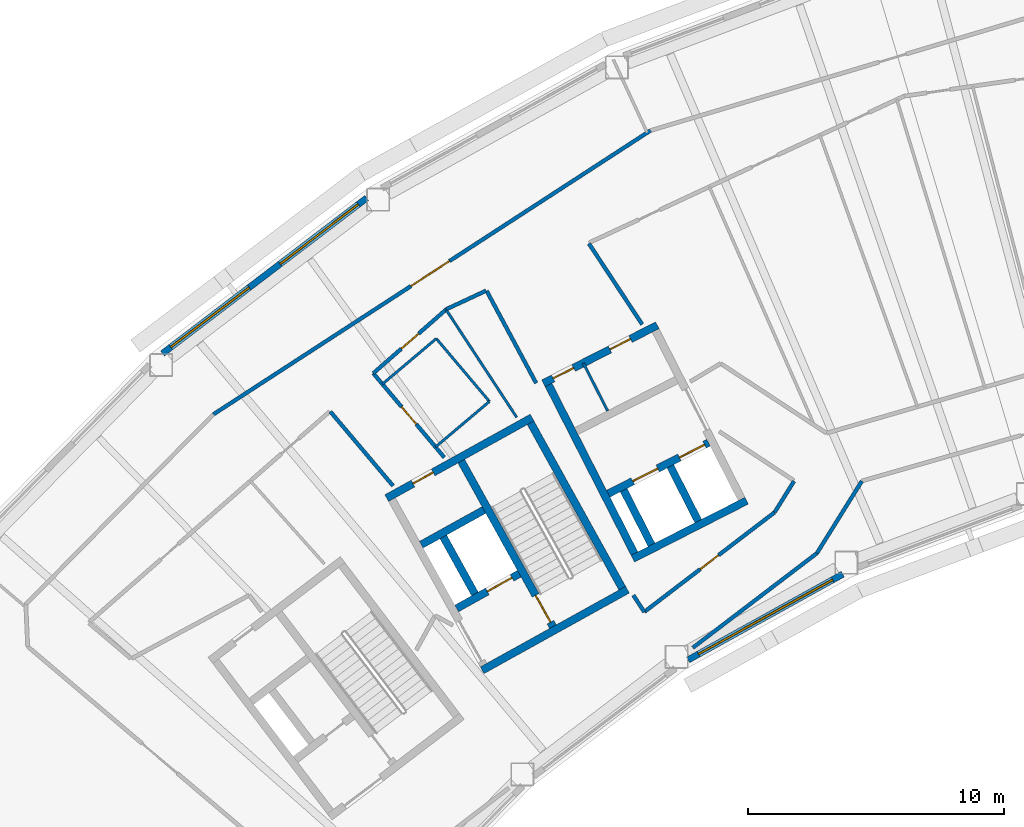
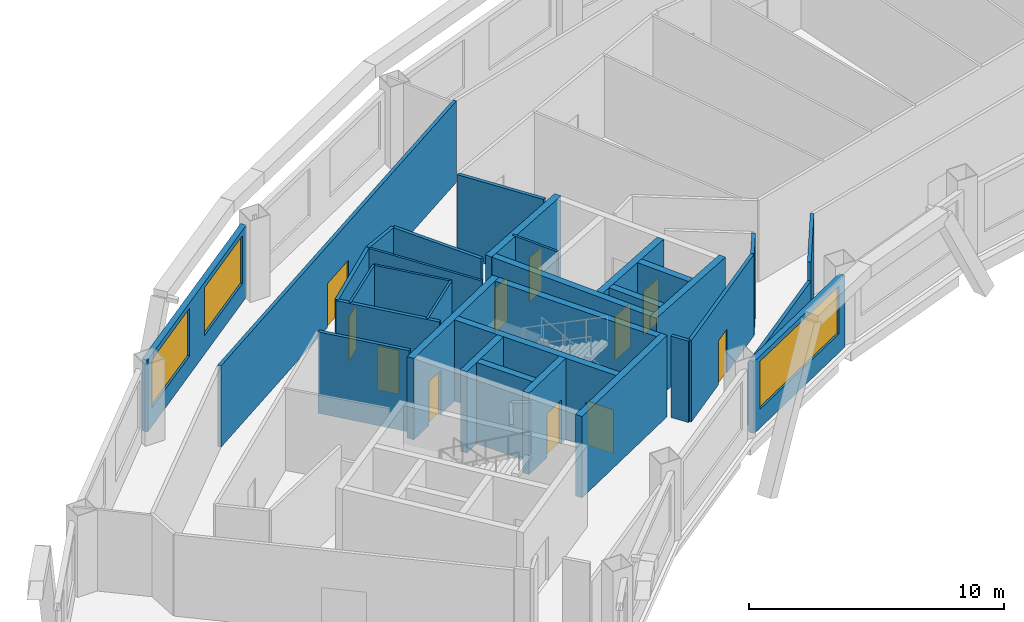
# One storey, part 6 of 17: 32 walls, 11 doors, 3 windows, 14 openings.
"""IFC4 building model written with IfcOpenShell, lengths in metres."""

from ifc_helpers import new_model, si_unit, direction, frame, frame_2d, origin, place, context, subcontext, project, spatial, rectangle, extrude, material, layer, layer_set, type_object, element, fill, save


model = new_model("IFC4")

# Units and contexts
model_context = context("Model", 3, precision=1e-05, world=origin(), true_north=direction((0.0, 1.0)))
body_context = subcontext(model_context, "Body", "Model", "MODEL_VIEW")
ifc_project = project(units=[si_unit("LENGTHUNIT", "METRE"), si_unit("AREAUNIT", "SQUARE_METRE"), si_unit("VOLUMEUNIT", "CUBIC_METRE"), si_unit("PLANEANGLEUNIT", "RADIAN"), si_unit("MASSUNIT", "GRAM", prefix="KILO")], contexts=[model_context])

# Site, building, storey
site_placement = place(None, origin())
site = spatial("IfcSite", under=ifc_project, at=site_placement, CompositionType="ELEMENT")
building_placement = place(site_placement, origin())
building = spatial("IfcBuilding", under=site, at=building_placement, Name="Tuul Gate Civic Tower", CompositionType="ELEMENT")
storey_placement = place(building_placement, frame((0.0, 0.0, 222.10009765625)))
storey = spatial("IfcBuildingStorey", under=building, at=storey_placement, Name="Level 50", CompositionType="ELEMENT", Elevation=222.10009765625)

# Wall
ifc_material_1 = material(Name="Concrete C50/60", Category="concrete")
ifc_layer_1 = layer(ifc_material_1, 0.300048828125)
ifc_layer_set_1 = layer_set([ifc_layer_1], Name="Concrete C50/60")
wall_type_1 = type_object("IfcWallType", Name="Core wall C50/60", PredefinedType="SHEAR", material=ifc_layer_set_1)
wall_1_placement = place(storey_placement, frame((-24.711669921875, -8.7158203125, 0.0), z_axis=(0.0, 0.0, 1.0), x_axis=(-0.874629909008, -0.484791215132, 0.0)))
element("IfcWall", 1, at=wall_1_placement, inside=storey, type_object=wall_type_1, Name="Core wall", PredefinedType="SHEAR", context=body_context, shape_type="SweptSolid", body=[
    extrude(rectangle(XDim=6.5, YDim=0.300048828125, at=frame_2d((3.25, 0.0))), origin(), (0.0, 0.0, 1.0), 3.89990234375),
])

# Wall, opening, door
wall_2_placement = place(storey_placement, frame((-28.94580078125, -8.090087890625, 0.0), z_axis=(0.0, 0.0, 1.0), x_axis=(-0.874629840737, -0.484791338301, 0.0)))
wall_2 = element("IfcWall", 2, at=wall_2_placement, inside=storey, type_object=wall_type_1, Name="Core wall", PredefinedType="SHEAR", context=body_context, shape_type="SweptSolid", body=[
    extrude(rectangle(XDim=2.800048828125, YDim=0.300048828125, at=frame_2d((1.39990234375, 0.0))), origin(), (0.0, 0.0, 1.0), 3.89990234375),
])
opening_1_placement = place(wall_2_placement, frame((0.324951171875, 0.0, 0.0)))
opening_1 = element("IfcOpeningElement", 3, at=opening_1_placement, cuts=wall_2, Name="Opening LD-FF-1", PredefinedType="OPENING", context=body_context, shape_type="SweptSolid", body=[
    extrude(rectangle(XDim=1.10009765625, YDim=2.10009765625, at=frame_2d((0.550048828125, 1.050048828125))), frame((0.0, 0.16015625, 0.0), z_axis=(0.0, -1.0, 0.0), x_axis=(1.0, 0.0, 0.0)), (0.0, 0.0, 1.0), 0.320068359375),
])
ifc_material_2 = material(Name="Stainless steel", Category="steel")
door_type_1 = type_object("IfcDoorType", Name="Landing door", OperationType="DOUBLE_DOOR_SLIDING", PredefinedType="DOOR", material=ifc_material_2)
door_1_placement = place(opening_1_placement, origin())
door_1 = element("IfcDoor", 4, at=door_1_placement, inside=storey, type_object=door_type_1, Name="Fire-fighting lift FF-1 landing door", OperationType="DOUBLE_DOOR_SLIDING", OverallHeight=2.10009765625, OverallWidth=1.10009765625, PredefinedType="DOOR", context=body_context, shape_type="SweptSolid", body=[
    extrude(rectangle(XDim=1.10009765625, YDim=2.10009765625, at=frame_2d((0.550048828125, 1.050048828125))), frame((0.0, 0.02490234375, 0.0), z_axis=(0.0, -1.0, 0.0), x_axis=(1.0, 0.0, 0.0)), (0.0, 0.0, 1.0), 0.050048828125),
])
fill(opening_1, door_1)

# Wall
wall_3_placement = place(storey_placement, frame((-30.327392578125, -5.59716796875, 0.0), z_axis=(0.0, 0.0, 1.0), x_axis=(-0.874629840737, -0.484791338301, 0.0)))
element("IfcWall", 5, at=wall_3_placement, inside=storey, type_object=wall_type_1, Name="Core wall", PredefinedType="SHEAR", context=body_context, shape_type="SweptSolid", body=[
    extrude(rectangle(XDim=2.800048828125, YDim=0.300048828125, at=frame_2d((1.39990234375, 0.0))), origin(), (0.0, 0.0, 1.0), 3.89990234375),
])

# Wall, opening, door
wall_4_placement = place(storey_placement, frame((-28.4443359375, -1.98095703125, 0.0), z_axis=(0.0, 0.0, 1.0), x_axis=(-0.874629909008, -0.484791215132, 0.0)))
wall_4 = element("IfcWall", 6, at=wall_4_placement, inside=storey, type_object=wall_type_1, Name="Core wall", PredefinedType="SHEAR", context=body_context, shape_type="SweptSolid", body=[
    extrude(rectangle(XDim=6.5, YDim=0.300048828125, at=frame_2d((3.25, 0.0))), origin(), (0.0, 0.0, 1.0), 3.89990234375),
])
opening_2_placement = place(wall_4_placement, frame((4.425048828125, 0.0, 0.0)))
opening_2 = element("IfcOpeningElement", 7, at=opening_2_placement, cuts=wall_4, Name="Opening R-D44", PredefinedType="OPENING", context=body_context, shape_type="SweptSolid", body=[
    extrude(rectangle(XDim=0.89990234375, YDim=2.10009765625, at=frame_2d((0.449951171875, 1.050048828125))), frame((0.0, 0.16015625, 0.0), z_axis=(0.0, -1.0, 0.0), x_axis=(1.0, 0.0, 0.0)), (0.0, 0.0, 1.0), 0.320068359375),
])
ifc_material_3 = material(Name="Timber door leaf", Category="wood")
door_type_2 = type_object("IfcDoorType", Name="Door D09", OperationType="NOTDEFINED", PredefinedType="DOOR", material=ifc_material_3)
door_2_placement = place(opening_2_placement, origin())
door_2 = element("IfcDoor", 8, at=door_2_placement, inside=storey, type_object=door_type_2, Name="Door R-D44", OperationType="SINGLE_SWING_LEFT", OverallHeight=2.10009765625, OverallWidth=0.89990234375, PredefinedType="DOOR", context=body_context, shape_type="SweptSolid", body=[
    extrude(rectangle(XDim=0.89990234375, YDim=2.10009765625, at=frame_2d((0.449951171875, 1.050048828125))), frame((0.0, 0.02490234375, 0.0), z_axis=(0.0, -1.0, 0.0), x_axis=(1.0, 0.0, 0.0)), (0.0, 0.0, 1.0), 0.050048828125),
])
fill(opening_2, door_2)

# Wall
wall_5_placement = place(storey_placement, frame((-24.91552734375, -8.6572265625, 0.0), z_axis=(0.0, 0.0, 1.0), x_axis=(-0.484777133038, 0.874637714304, 0.0)))
element("IfcWall", 9, at=wall_5_placement, inside=storey, type_object=wall_type_1, Name="Core wall", PredefinedType="SHEAR", context=body_context, shape_type="SweptSolid", body=[
    extrude(rectangle(XDim=7.400146484375, YDim=0.300048828125, at=frame_2d((3.7001953125, 0.0))), origin(), (0.0, 0.0, 1.0), 3.89990234375),
])

# Wall, opening, door
wall_6_placement = place(storey_placement, frame((-27.626953125, -10.16015625, 0.0), z_axis=(0.0, 0.0, 1.0), x_axis=(-0.484751894226, 0.874651702704, 0.0)))
wall_6 = element("IfcWall", 10, at=wall_6_placement, inside=storey, type_object=wall_type_1, Name="Core wall", PredefinedType="SHEAR", context=body_context, shape_type="SweptSolid", body=[
    extrude(rectangle(XDim=7.39990234375, YDim=0.300048828125, at=frame_2d((3.699951171875, 0.0))), origin(), (0.0, 0.0, 1.0), 3.89990234375),
])
opening_3_placement = place(wall_6_placement, frame((0.199951171875, 0.0, 0.0)))
opening_3 = element("IfcOpeningElement", 11, at=opening_3_placement, cuts=wall_6, Name="Opening SD-ST-2", PredefinedType="OPENING", context=body_context, shape_type="SweptSolid", body=[
    extrude(rectangle(XDim=1.199951171875, YDim=2.10009765625, at=frame_2d((0.60009765625, 1.050048828125))), frame((0.0, 0.16015625, 0.0), z_axis=(0.0, -1.0, 0.0), x_axis=(1.0, 0.0, 0.0)), (0.0, 0.0, 1.0), 0.320068359375),
])
ifc_material_4 = material(Name="Steel", Category="steel")
door_type_3 = type_object("IfcDoorType", Name="Stair door", OperationType="NOTDEFINED", PredefinedType="DOOR", material=ifc_material_4)
door_3_placement = place(opening_3_placement, origin())
door_3 = element("IfcDoor", 12, at=door_3_placement, inside=storey, type_object=door_type_3, Name="Stair door ST-2", OperationType="SINGLE_SWING_LEFT", OverallHeight=2.10009765625, OverallWidth=1.199951171875, PredefinedType="DOOR", context=body_context, shape_type="SweptSolid", body=[
    extrude(rectangle(XDim=1.199951171875, YDim=2.10009765625, at=frame_2d((0.60009765625, 1.050048828125))), frame((0.0, 0.02490234375, 0.0), z_axis=(0.0, -1.0, 0.0), x_axis=(1.0, 0.0, 0.0)), (0.0, 0.0, 1.0), 0.050048828125),
])
fill(opening_3, door_3)

# Wall
wall_7_placement = place(storey_placement, frame((-30.680419921875, -8.8798828125, 0.0), z_axis=(0.0, 0.0, 1.0), x_axis=(-0.484724115216, 0.874667097888, 0.0)))
element("IfcWall", 13, at=wall_7_placement, inside=storey, type_object=wall_type_1, Name="Core wall", PredefinedType="SHEAR", context=body_context, shape_type="SweptSolid", body=[
    extrude(rectangle(XDim=2.550048828125, YDim=0.300048828125, at=frame_2d((1.27490234375, 0.0))), origin(), (0.0, 0.0, 1.0), 3.89990234375),
])

# Wall, opening, door
ifc_material_5 = material(Name="Gypsum board partition")
ifc_layer_2 = layer(ifc_material_5, 0.14990234375)
ifc_layer_set_2 = layer_set([ifc_layer_2], Name="Gypsum board partition")
wall_type_2 = type_object("IfcWallType", Name="Corridor wall P150", PredefinedType="PARTITIONING", material=ifc_layer_set_2)
wall_8_placement = place(storey_placement, frame((-40.91259765625, -1.85595703125, 0.0), z_axis=(0.0, 0.0, 1.0), x_axis=(0.838694654804, 0.54460194271, 0.0)))
wall_8 = element("IfcWall", 14, at=wall_8_placement, inside=storey, type_object=wall_type_2, Name="p014", PredefinedType="PARTITIONING", context=body_context, shape_type="SweptSolid", body=[
    extrude(rectangle(XDim=20.39013671875, YDim=0.14990234375, at=frame_2d((10.195068359375, 0.0))), origin(), (0.0, 0.0, 1.0), 3.89990234375),
])
opening_4_placement = place(wall_8_placement, frame((9.218017578125, 0.0, 0.0)))
opening_4 = element("IfcOpeningElement", 15, at=opening_4_placement, cuts=wall_8, Name="Opening R-D05", PredefinedType="OPENING", context=body_context, shape_type="SweptSolid", body=[
    extrude(rectangle(XDim=1.800048828125, YDim=2.10009765625, at=frame_2d((0.89990234375, 1.050048828125))), frame((0.0, 0.0849609375, 0.0), z_axis=(0.0, -1.0, 0.0), x_axis=(1.0, 0.0, 0.0)), (0.0, 0.0, 1.0), 0.169921875),
])
ifc_material_6 = material(Name="Timber door leaf, double", Category="wood")
door_type_4 = type_object("IfcDoorType", Name="Door D18", OperationType="DOUBLE_DOOR_SINGLE_SWING", PredefinedType="DOOR", material=ifc_material_6)
door_4_placement = place(opening_4_placement, origin())
door_4 = element("IfcDoor", 16, at=door_4_placement, inside=storey, type_object=door_type_4, Name="Door R-D05", OperationType="DOUBLE_DOOR_SINGLE_SWING", OverallHeight=2.10009765625, OverallWidth=1.800048828125, PredefinedType="DOOR", context=body_context, shape_type="SweptSolid", body=[
    extrude(rectangle(XDim=1.800048828125, YDim=2.10009765625, at=frame_2d((0.89990234375, 1.050048828125))), frame((0.0, 0.02490234375, 0.0), z_axis=(0.0, -1.0, 0.0), x_axis=(1.0, 0.0, 0.0)), (0.0, 0.0, 1.0), 0.050048828125),
])
fill(opening_4, door_4)

# Walls
wall_9_placement = place(storey_placement, frame((-17.30126953125, -7.2890625, 0.0), z_axis=(0.0, 0.0, 1.0), x_axis=(0.528856076926, 0.848711523368, 0.0)))
element("IfcWall", 17, at=wall_9_placement, inside=storey, type_object=wall_type_2, Name="p039", PredefinedType="PARTITIONING", context=body_context, shape_type="SweptSolid", body=[
    extrude(rectangle(XDim=3.3232421875, YDim=0.14990234375, at=frame_2d((1.66162109375, 0.0))), origin(), (0.0, 0.0, 1.0), 3.89990234375),
])
wall_10_placement = place(storey_placement, frame((-31.78955078125, 2.26220703125, 0.0), z_axis=(0.0, 0.0, 1.0), x_axis=(0.906552739591, 0.422092561341, 0.0)))
element("IfcWall", 18, at=wall_10_placement, inside=storey, type_object=wall_type_2, Name="p082", PredefinedType="PARTITIONING", context=body_context, shape_type="SweptSolid", body=[
    extrude(rectangle(XDim=1.702880859375, YDim=0.14990234375, at=frame_2d((0.8515625, 0.0))), origin(), (0.0, 0.0, 1.0), 3.89990234375),
])
wall_11_placement = place(storey_placement, frame((-26.22119140625, 4.828857421875, 0.0), z_axis=(0.0, 0.0, 1.0), x_axis=(0.550321528377, -0.834952822263, 0.0)))
element("IfcWall", 19, at=wall_11_placement, inside=storey, type_object=wall_type_2, Name="p087", PredefinedType="PARTITIONING", context=body_context, shape_type="SweptSolid", body=[
    extrude(rectangle(XDim=3.78955078125, YDim=0.14990234375, at=frame_2d((1.894775390625, 0.0))), origin(), (0.0, 0.0, 1.0), 3.89990234375),
])
wall_12_placement = place(storey_placement, frame((-24.482421875, -8.931640625, 0.0), z_axis=(0.0, 0.0, 1.0), x_axis=(0.548342642764, -0.836253757018, 0.0)))
element("IfcWall", 20, at=wall_12_placement, inside=storey, type_object=wall_type_2, Name="p089", PredefinedType="PARTITIONING", context=body_context, shape_type="SweptSolid", body=[
    extrude(rectangle(XDim=0.78173828125, YDim=0.14990234375, at=frame_2d((0.390869140625, 0.0))), origin(), (0.0, 0.0, 1.0), 3.89990234375),
])

# Wall, opening, door
wall_13_placement = place(storey_placement, frame((-34.65625, -0.24853515625, 0.0), z_axis=(0.0, 0.0, 1.0), x_axis=(0.752267052032, 0.658858317416, 0.0)))
wall_13 = element("IfcWall", 21, at=wall_13_placement, inside=storey, type_object=wall_type_2, Name="p091", PredefinedType="PARTITIONING", context=body_context, shape_type="SweptSolid", body=[
    extrude(rectangle(XDim=3.810791015625, YDim=0.14990234375, at=frame_2d((1.9052734375, 0.0))), origin(), (0.0, 0.0, 1.0), 3.89990234375),
])
opening_5_placement = place(wall_13_placement, frame((1.455322265625, 0.0, 0.0)))
opening_5 = element("IfcOpeningElement", 22, at=opening_5_placement, cuts=wall_13, Name="Opening R-D42", PredefinedType="OPENING", context=body_context, shape_type="SweptSolid", body=[
    extrude(rectangle(XDim=0.89990234375, YDim=2.10009765625, at=frame_2d((0.449951171875, 1.050048828125))), frame((0.0, 0.0849609375, 0.0), z_axis=(0.0, -1.0, 0.0), x_axis=(1.0, 0.0, 0.0)), (0.0, 0.0, 1.0), 0.169921875),
])
door_5_placement = place(opening_5_placement, origin())
door_5 = element("IfcDoor", 23, at=door_5_placement, inside=storey, type_object=door_type_2, Name="Door R-D42", OperationType="SINGLE_SWING_RIGHT", OverallHeight=2.10009765625, OverallWidth=0.89990234375, PredefinedType="DOOR", context=body_context, shape_type="SweptSolid", body=[
    extrude(rectangle(XDim=0.89990234375, YDim=2.10009765625, at=frame_2d((0.449951171875, 1.050048828125))), frame((0.0, 0.02490234375, 0.0), z_axis=(0.0, -1.0, 0.0), x_axis=(1.0, 0.0, 0.0)), (0.0, 0.0, 1.0), 0.050048828125),
])
fill(opening_5, door_5)

# Walls
wall_14_placement = place(storey_placement, frame((-30.21923828125, 2.971923828125, 0.0), z_axis=(0.0, 0.0, 1.0), x_axis=(0.472839183622, -0.881148742513, 0.0)))
element("IfcWall", 24, at=wall_14_placement, inside=storey, type_object=wall_type_2, Name="p092", PredefinedType="PARTITIONING", context=body_context, shape_type="SweptSolid", body=[
    extrude(rectangle(XDim=4.08984375, YDim=0.14990234375, at=frame_2d((2.044921875, 0.0))), origin(), (0.0, 0.0, 1.0), 3.89990234375),
])
wall_15_placement = place(storey_placement, frame((-18.952392578125, -5.684326171875, 0.0), z_axis=(0.0, 0.0, 1.0), x_axis=(0.528862582225, 0.848707469699, 0.0)))
element("IfcWall", 25, at=wall_15_placement, inside=storey, type_object=wall_type_2, Name="p094", PredefinedType="PARTITIONING", context=body_context, shape_type="SweptSolid", body=[
    extrude(rectangle(XDim=1.4296875, YDim=0.14990234375, at=frame_2d((0.71484375, 0.0))), origin(), (0.0, 0.0, 1.0), 3.89990234375),
])

# Wall, opening, door
wall_16_placement = place(storey_placement, frame((-24.0537109375, -9.58544921875, 0.0), z_axis=(0.0, 0.0, 1.0), x_axis=(0.794499344457, 0.607265009413, 0.0)))
wall_16 = element("IfcWall", 26, at=wall_16_placement, inside=storey, type_object=wall_type_2, Name="p095", PredefinedType="PARTITIONING", context=body_context, shape_type="SweptSolid", body=[
    extrude(rectangle(XDim=6.4140625, YDim=0.14990234375, at=frame_2d((3.20703125, 0.0))), origin(), (0.0, 0.0, 1.0), 3.89990234375),
])
opening_6_placement = place(wall_16_placement, frame((2.757080078125, 0.0, 0.0)))
opening_6 = element("IfcOpeningElement", 27, at=opening_6_placement, cuts=wall_16, Name="Opening R-D34", PredefinedType="OPENING", context=body_context, shape_type="SweptSolid", body=[
    extrude(rectangle(XDim=0.89990234375, YDim=2.10009765625, at=frame_2d((0.449951171875, 1.050048828125))), frame((0.0, 0.0849609375, 0.0), z_axis=(0.0, -1.0, 0.0), x_axis=(1.0, 0.0, 0.0)), (0.0, 0.0, 1.0), 0.169921875),
])
door_6_placement = place(opening_6_placement, origin())
door_6 = element("IfcDoor", 28, at=door_6_placement, inside=storey, type_object=door_type_2, Name="Door R-D34", OperationType="SINGLE_SWING_RIGHT", OverallHeight=2.10009765625, OverallWidth=0.89990234375, PredefinedType="DOOR", context=body_context, shape_type="SweptSolid", body=[
    extrude(rectangle(XDim=0.89990234375, YDim=2.10009765625, at=frame_2d((0.449951171875, 1.050048828125))), frame((0.0, 0.02490234375, 0.0), z_axis=(0.0, -1.0, 0.0), x_axis=(1.0, 0.0, 0.0)), (0.0, 0.0, 1.0), 0.050048828125),
])
fill(opening_6, door_6)

wall_17_placement = place(storey_placement, frame((-34.65625, -0.24853515625, 0.0), z_axis=(0.0, 0.0, 1.0), x_axis=(0.645164646928, -0.764043570979, 0.0)))
wall_17 = element("IfcWall", 29, at=wall_17_placement, inside=storey, type_object=wall_type_2, Name="p097", PredefinedType="PARTITIONING", context=body_context, shape_type="SweptSolid", body=[
    extrude(rectangle(XDim=4.30859375, YDim=0.14990234375, at=frame_2d((2.154296875, 0.0))), origin(), (0.0, 0.0, 1.0), 3.89990234375),
])
opening_7_placement = place(wall_17_placement, frame((1.714111328125, 0.0, 0.0)))
opening_7 = element("IfcOpeningElement", 30, at=opening_7_placement, cuts=wall_17, Name="Opening R-D35", PredefinedType="OPENING", context=body_context, shape_type="SweptSolid", body=[
    extrude(rectangle(XDim=0.89990234375, YDim=2.10009765625, at=frame_2d((0.449951171875, 1.050048828125))), frame((0.0, 0.0849609375, 0.0), z_axis=(0.0, -1.0, 0.0), x_axis=(1.0, 0.0, 0.0)), (0.0, 0.0, 1.0), 0.169921875),
])
door_7_placement = place(opening_7_placement, origin())
door_7 = element("IfcDoor", 31, at=door_7_placement, inside=storey, type_object=door_type_2, Name="Door R-D35", OperationType="SINGLE_SWING_RIGHT", OverallHeight=2.10009765625, OverallWidth=0.89990234375, PredefinedType="DOOR", context=body_context, shape_type="SweptSolid", body=[
    extrude(rectangle(XDim=0.89990234375, YDim=2.10009765625, at=frame_2d((0.449951171875, 1.050048828125))), frame((0.0, 0.02490234375, 0.0), z_axis=(0.0, -1.0, 0.0), x_axis=(1.0, 0.0, 0.0)), (0.0, 0.0, 1.0), 0.050048828125),
])
fill(opening_7, door_7)

# Walls
wall_18_placement = place(storey_placement, frame((-36.335693359375, -1.747314453125, 0.0), z_axis=(0.0, 0.0, 1.0), x_axis=(0.645204975868, -0.764009515069, 0.0)))
element("IfcWall", 32, at=wall_18_placement, inside=storey, type_object=wall_type_2, Name="p102", PredefinedType="PARTITIONING", context=body_context, shape_type="SweptSolid", body=[
    extrude(rectangle(XDim=3.8017578125, YDim=0.14990234375, at=frame_2d((1.90087890625, 0.0))), origin(), (0.0, 0.0, 1.0), 3.89990234375),
])
ifc_material_7 = material(Name="Gypsum board partition")
ifc_layer_3 = layer(ifc_material_7, 0.14990234375)
ifc_layer_set_3 = layer_set([ifc_layer_3], Name="Gypsum board partition")
wall_type_3 = type_object("IfcWallType", Name="Corridor wall P150 3000 HIGH", PredefinedType="PARTITIONING", material=ifc_layer_set_3)
wall_19_placement = place(storey_placement, frame((-22.156005859375, -10.98828125, 0.0), z_axis=(0.0, 0.0, 1.0), x_axis=(0.795349073888, 0.606151672988, 0.0)))
element("IfcWall", 33, at=wall_19_placement, inside=storey, type_object=wall_type_3, Name="p023", PredefinedType="PARTITIONING", context=body_context, shape_type="SweptSolid", body=[
    extrude(rectangle(XDim=6.103515625, YDim=0.14990234375, at=frame_2d((3.0517578125, 0.0))), origin(), (0.0, 0.0, 1.0), 3.0),
])

# Wall, openings, windows
ifc_material_8 = material(Name="Precast concrete C40/50", Category="concrete")
ifc_layer_4 = layer(ifc_material_8, 0.25)
ifc_layer_set_4 = layer_set([ifc_layer_4], Name="Precast concrete C40/50")
wall_type_4 = type_object("IfcWallType", Name="External wall", PredefinedType="STANDARD", material=ifc_layer_set_4)
wall_20_placement = place(storey_placement, frame((-34.9130859375, 6.608642578125, 0.0), z_axis=(0.0, 0.0, 1.0), x_axis=(-0.795599673756, -0.605822712615, 0.0)))
wall_20 = element("IfcWall", 34, at=wall_20_placement, inside=storey, type_object=wall_type_4, Name="External wall", PredefinedType="STANDARD", context=body_context, shape_type="SweptSolid", body=[
    extrude(rectangle(XDim=10.0419921875, YDim=0.25, at=frame_2d((5.02099609375, 0.0))), origin(), (0.0, 0.0, 1.0), 3.449951171875),
])
opening_8_placement = place(wall_20_placement, frame((0.4091796875, 0.0, 0.89990234375)))
opening_8 = element("IfcOpeningElement", 35, at=opening_8_placement, cuts=wall_20, Name="Opening W22", PredefinedType="OPENING", context=body_context, shape_type="SweptSolid", body=[
    extrude(rectangle(XDim=3.85009765625, YDim=2.300048828125, at=frame_2d((1.925048828125, 1.14990234375))), frame((0.0, 0.135009765625, 0.0), z_axis=(0.0, -1.0, 0.0), x_axis=(1.0, 0.0, 0.0)), (0.0, 0.0, 1.0), 0.27001953125),
])
opening_9_placement = place(wall_20_placement, frame((5.780517578125, 0.0, 0.89990234375)))
opening_9 = element("IfcOpeningElement", 36, at=opening_9_placement, cuts=wall_20, Name="Opening W22", PredefinedType="OPENING", context=body_context, shape_type="SweptSolid", body=[
    extrude(rectangle(XDim=3.85009765625, YDim=2.300048828125, at=frame_2d((1.925048828125, 1.14990234375))), frame((0.0, 0.135009765625, 0.0), z_axis=(0.0, -1.0, 0.0), x_axis=(1.0, 0.0, 0.0)), (0.0, 0.0, 1.0), 0.27001953125),
])
ifc_material_9 = material(Name="Glass", Category="glass")
window_type_1 = type_object("IfcWindowType", Name="Window W22 3850 x 2300", PartitioningType="SINGLE_PANEL", PredefinedType="WINDOW", material=ifc_material_9)
window_1_placement = place(opening_8_placement, origin())
window_1 = element("IfcWindow", 37, at=window_1_placement, inside=storey, type_object=window_type_1, Name="Window", OverallHeight=2.300048828125, OverallWidth=3.85009765625, PartitioningType="SINGLE_PANEL", PredefinedType="WINDOW", context=body_context, shape_type="SweptSolid", body=[
    extrude(rectangle(XDim=3.85009765625, YDim=2.300048828125, at=frame_2d((1.925048828125, 1.14990234375))), frame((0.0, 0.030029296875, 0.0), z_axis=(0.0, -1.0, 0.0), x_axis=(1.0, 0.0, 0.0)), (0.0, 0.0, 1.0), 0.06005859375),
])
fill(opening_8, window_1)
window_2_placement = place(opening_9_placement, origin())
window_2 = element("IfcWindow", 38, at=window_2_placement, inside=storey, type_object=window_type_1, Name="Window", OverallHeight=2.300048828125, OverallWidth=3.85009765625, PartitioningType="SINGLE_PANEL", PredefinedType="WINDOW", context=body_context, shape_type="SweptSolid", body=[
    extrude(rectangle(XDim=3.85009765625, YDim=2.300048828125, at=frame_2d((1.925048828125, 1.14990234375))), frame((0.0, 0.030029296875, 0.0), z_axis=(0.0, -1.0, 0.0), x_axis=(1.0, 0.0, 0.0)), (0.0, 0.0, 1.0), 0.06005859375),
])
fill(opening_9, window_2)

# Wall, opening, window
wall_21_placement = place(storey_placement, frame((-22.3369140625, -11.46044921875, 0.0), z_axis=(0.0, 0.0, 1.0), x_axis=(0.874618182136, 0.484812371416, 0.0)))
wall_21 = element("IfcWall", 39, at=wall_21_placement, inside=storey, type_object=wall_type_4, Name="External wall", PredefinedType="STANDARD", context=body_context, shape_type="SweptSolid", body=[
    extrude(rectangle(XDim=6.9150390625, YDim=0.25, at=frame_2d((3.45751953125, 0.0))), origin(), (0.0, 0.0, 1.0), 3.449951171875),
])
opening_10_placement = place(wall_21_placement, frame((0.4619140625, 0.0, 0.89990234375)))
opening_10 = element("IfcOpeningElement", 40, at=opening_10_placement, cuts=wall_21, Name="Opening W26", PredefinedType="OPENING", context=body_context, shape_type="SweptSolid", body=[
    extrude(rectangle(XDim=6.0, YDim=2.300048828125, at=frame_2d((3.0, 1.14990234375))), frame((0.0, 0.135009765625, 0.0), z_axis=(0.0, -1.0, 0.0), x_axis=(1.0, 0.0, 0.0)), (0.0, 0.0, 1.0), 0.27001953125),
])
ifc_material_10 = material(Name="Glass", Category="glass")
window_type_2 = type_object("IfcWindowType", Name="Window W26 6000 x 2300", PartitioningType="SINGLE_PANEL", PredefinedType="WINDOW", material=ifc_material_10)
window_3_placement = place(opening_10_placement, origin())
window_3 = element("IfcWindow", 41, at=window_3_placement, inside=storey, type_object=window_type_2, Name="Window", OverallHeight=2.300048828125, OverallWidth=6.0, PartitioningType="SINGLE_PANEL", PredefinedType="WINDOW", context=body_context, shape_type="SweptSolid", body=[
    extrude(rectangle(XDim=6.0, YDim=2.300048828125, at=frame_2d((3.0, 1.14990234375))), frame((0.0, 0.030029296875, 0.0), z_axis=(0.0, -1.0, 0.0), x_axis=(1.0, 0.0, 0.0)), (0.0, 0.0, 1.0), 0.06005859375),
])
fill(opening_10, window_3)

# Wall
ifc_material_11 = material(Name="Concrete C40/50", Category="concrete")
ifc_layer_5 = layer(ifc_material_11, 0.300048828125)
ifc_layer_set_5 = layer_set([ifc_layer_5], Name="Concrete C40/50")
wall_type_5 = type_object("IfcWallType", Name="Lift shaft wall C40/50", PredefinedType="STANDARD", material=ifc_layer_set_5)
wall_22_placement = place(storey_placement, frame((-20.049072265625, -5.232421875, 0.0), z_axis=(0.0, 0.0, 1.0), x_axis=(-0.891002976909, -0.453997461601, 0.0)))
element("IfcWall", 42, at=wall_22_placement, inside=storey, type_object=wall_type_5, Name="Shaft wall", PredefinedType="STANDARD", context=body_context, shape_type="SweptSolid", body=[
    extrude(rectangle(XDim=5.0, YDim=0.300048828125, at=frame_2d((2.5, 0.0))), origin(), (0.0, 0.0, 1.0), 3.89990234375),
])

# Wall, openings, doors
wall_23_placement = place(storey_placement, frame((-21.542236328125, -2.962890625, 0.0), z_axis=(0.0, 0.0, 1.0), x_axis=(-0.891005618941, -0.453992276384, 0.0)))
wall_23 = element("IfcWall", 43, at=wall_23_placement, inside=storey, type_object=wall_type_5, Name="Shaft wall", PredefinedType="STANDARD", context=body_context, shape_type="SweptSolid", body=[
    extrude(rectangle(XDim=4.39990234375, YDim=0.300048828125, at=frame_2d((2.199951171875, 0.0))), origin(), (0.0, 0.0, 1.0), 3.89990234375),
])
opening_11_placement = place(wall_23_placement, frame((0.175048828125, 0.0, 0.0)))
opening_11 = element("IfcOpeningElement", 44, at=opening_11_placement, cuts=wall_23, Name="Opening LD-M1", PredefinedType="OPENING", context=body_context, shape_type="SweptSolid", body=[
    extrude(rectangle(XDim=1.10009765625, YDim=2.10009765625, at=frame_2d((0.550048828125, 1.050048828125))), frame((0.0, 0.16015625, 0.0), z_axis=(0.0, -1.0, 0.0), x_axis=(1.0, 0.0, 0.0)), (0.0, 0.0, 1.0), 0.320068359375),
])
opening_12_placement = place(wall_23_placement, frame((2.22509765625, 0.0, 0.0)))
opening_12 = element("IfcOpeningElement", 45, at=opening_12_placement, cuts=wall_23, Name="Opening LD-M2", PredefinedType="OPENING", context=body_context, shape_type="SweptSolid", body=[
    extrude(rectangle(XDim=1.10009765625, YDim=2.10009765625, at=frame_2d((0.550048828125, 1.050048828125))), frame((0.0, 0.16015625, 0.0), z_axis=(0.0, -1.0, 0.0), x_axis=(1.0, 0.0, 0.0)), (0.0, 0.0, 1.0), 0.320068359375),
])
door_8_placement = place(opening_11_placement, origin())
door_8 = element("IfcDoor", 46, at=door_8_placement, inside=storey, type_object=door_type_1, Name="Mid-rise lift M1 landing door", OperationType="DOUBLE_DOOR_SLIDING", OverallHeight=2.10009765625, OverallWidth=1.10009765625, PredefinedType="DOOR", context=body_context, shape_type="SweptSolid", body=[
    extrude(rectangle(XDim=1.10009765625, YDim=2.10009765625, at=frame_2d((0.550048828125, 1.050048828125))), frame((0.0, 0.02490234375, 0.0), z_axis=(0.0, -1.0, 0.0), x_axis=(1.0, 0.0, 0.0)), (0.0, 0.0, 1.0), 0.050048828125),
])
fill(opening_11, door_8)
door_9_placement = place(opening_12_placement, origin())
door_9 = element("IfcDoor", 47, at=door_9_placement, inside=storey, type_object=door_type_1, Name="Mid-rise lift M2 landing door", OperationType="DOUBLE_DOOR_SLIDING", OverallHeight=2.10009765625, OverallWidth=1.10009765625, PredefinedType="DOOR", context=body_context, shape_type="SweptSolid", body=[
    extrude(rectangle(XDim=1.10009765625, YDim=2.10009765625, at=frame_2d((0.550048828125, 1.050048828125))), frame((0.0, 0.02490234375, 0.0), z_axis=(0.0, -1.0, 0.0), x_axis=(1.0, 0.0, 0.0)), (0.0, 0.0, 1.0), 0.050048828125),
])
fill(opening_12, door_9)

wall_24_placement = place(storey_placement, frame((-23.544921875, 1.62841796875, 0.0), z_axis=(0.0, 0.0, 1.0), x_axis=(-0.891002976909, -0.453997461601, 0.0)))
wall_24 = element("IfcWall", 48, at=wall_24_placement, inside=storey, type_object=wall_type_5, Name="Shaft wall", PredefinedType="STANDARD", context=body_context, shape_type="SweptSolid", body=[
    extrude(rectangle(XDim=5.0, YDim=0.300048828125, at=frame_2d((2.5, 0.0))), origin(), (0.0, 0.0, 1.0), 3.89990234375),
])
opening_13_placement = place(wall_24_placement, frame((1.175048828125, 0.0, 0.0)))
opening_13 = element("IfcOpeningElement", 49, at=opening_13_placement, cuts=wall_24, Name="Opening R-D49", PredefinedType="OPENING", context=body_context, shape_type="SweptSolid", body=[
    extrude(rectangle(XDim=0.89990234375, YDim=2.10009765625, at=frame_2d((0.449951171875, 1.050048828125))), frame((0.0, 0.16015625, 0.0), z_axis=(0.0, -1.0, 0.0), x_axis=(1.0, 0.0, 0.0)), (0.0, 0.0, 1.0), 0.320068359375),
])
opening_14_placement = place(wall_24_placement, frame((3.675048828125, 0.0, 0.0)))
opening_14 = element("IfcOpeningElement", 50, at=opening_14_placement, cuts=wall_24, Name="Opening R-D50", PredefinedType="OPENING", context=body_context, shape_type="SweptSolid", body=[
    extrude(rectangle(XDim=0.89990234375, YDim=2.10009765625, at=frame_2d((0.449951171875, 1.050048828125))), frame((0.0, 0.16015625, 0.0), z_axis=(0.0, -1.0, 0.0), x_axis=(1.0, 0.0, 0.0)), (0.0, 0.0, 1.0), 0.320068359375),
])
door_10_placement = place(opening_13_placement, origin())
door_10 = element("IfcDoor", 51, at=door_10_placement, inside=storey, type_object=door_type_2, Name="Door R-D49", OperationType="SINGLE_SWING_RIGHT", OverallHeight=2.10009765625, OverallWidth=0.89990234375, PredefinedType="DOOR", context=body_context, shape_type="SweptSolid", body=[
    extrude(rectangle(XDim=0.89990234375, YDim=2.10009765625, at=frame_2d((0.449951171875, 1.050048828125))), frame((0.0, 0.02490234375, 0.0), z_axis=(0.0, -1.0, 0.0), x_axis=(1.0, 0.0, 0.0)), (0.0, 0.0, 1.0), 0.050048828125),
])
fill(opening_13, door_10)
door_11_placement = place(opening_14_placement, origin())
door_11 = element("IfcDoor", 52, at=door_11_placement, inside=storey, type_object=door_type_2, Name="Door R-D50", OperationType="SINGLE_SWING_LEFT", OverallHeight=2.10009765625, OverallWidth=0.89990234375, PredefinedType="DOOR", context=body_context, shape_type="SweptSolid", body=[
    extrude(rectangle(XDim=0.89990234375, YDim=2.10009765625, at=frame_2d((0.449951171875, 1.050048828125))), frame((0.0, 0.02490234375, 0.0), z_axis=(0.0, -1.0, 0.0), x_axis=(1.0, 0.0, 0.0)), (0.0, 0.0, 1.0), 0.050048828125),
])
fill(opening_14, door_11)

# Walls
for number, where, z_axis, x_axis, name in (
    (53, (-21.94384765625, -6.029296875, 0.0), (0.0, 0.0, 1.0), (-0.45403702923, 0.890982814698, 0.0), "Shaft wall"),
    (54, (-23.770263671875, -6.960205078125, 0.0), (0.0, 0.0, 1.0), (-0.45399587725, 0.891003784189, 0.0), "Shaft wall"),
):
    element("IfcWall", number, at=place(storey_placement, frame(where, z_axis=z_axis, x_axis=x_axis)), inside=storey, type_object=wall_type_5, Name=name, PredefinedType="STANDARD", context=body_context, shape_type="SweptSolid", body=[
        extrude(rectangle(XDim=2.39990234375, YDim=0.300048828125, at=frame_2d((1.199951171875, 0.0))), origin(), (0.0, 0.0, 1.0), 3.89990234375),
    ])
wall_25_placement = place(storey_placement, frame((-24.438720703125, -7.300537109375, 0.0), z_axis=(0.0, 0.0, 1.0), x_axis=(-0.453984101083, 0.891009784438, 0.0)))
element("IfcWall", 55, at=wall_25_placement, inside=storey, type_object=wall_type_5, Name="Shaft wall", PredefinedType="STANDARD", context=body_context, shape_type="SweptSolid", body=[
    extrude(rectangle(XDim=7.399658203125, YDim=0.300048828125, at=frame_2d((3.69970703125, 0.0))), origin(), (0.0, 0.0, 1.0), 3.89990234375),
])
ifc_material_12 = material(Name="Gypsum board partition")
ifc_layer_6 = layer(ifc_material_12, 0.10009765625)
ifc_layer_set_6 = layer_set([ifc_layer_6], Name="Gypsum board partition")
wall_type_6 = type_object("IfcWallType", Name="Partition P100", PredefinedType="PARTITIONING", material=ifc_layer_set_6)
wall_26_placement = place(storey_placement, frame((-31.809814453125, 2.244384765625, 0.0), z_axis=(0.0, 0.0, 1.0), x_axis=(0.54831365658, -0.836272762924, 0.0)))
element("IfcWall", 56, at=wall_26_placement, inside=storey, type_object=wall_type_6, Name="p096", PredefinedType="PARTITIONING", context=body_context, shape_type="SweptSolid", body=[
    extrude(rectangle(XDim=5.041259765625, YDim=0.10009765625, at=frame_2d((2.5205078125, 0.0))), origin(), (0.0, 0.0, 1.0), 3.89990234375),
])
wall_27_placement = place(storey_placement, frame((-34.298828125, -0.671875, 0.0), z_axis=(0.0, 0.0, 1.0), x_axis=(0.7640066599, 0.645208356757, 0.0)))
element("IfcWall", 57, at=wall_27_placement, inside=storey, type_object=wall_type_6, Name="p098", PredefinedType="PARTITIONING", context=body_context, shape_type="SweptSolid", body=[
    extrude(rectangle(XDim=2.760009765625, YDim=0.10009765625, at=frame_2d((1.3798828125, 0.0))), origin(), (0.0, 0.0, 1.0), 3.89990234375),
])
wall_28_placement = place(storey_placement, frame((-32.190185546875, 1.10888671875, 0.0), z_axis=(0.0, 0.0, 1.0), x_axis=(0.645204421607, -0.764009983141, 0.0)))
element("IfcWall", 58, at=wall_28_placement, inside=storey, type_object=wall_type_6, Name="p099", PredefinedType="PARTITIONING", context=body_context, shape_type="SweptSolid", body=[
    extrude(rectangle(XDim=3.22021484375, YDim=0.10009765625, at=frame_2d((1.610107421875, 0.0))), origin(), (0.0, 0.0, 1.0), 3.89990234375),
])
wall_29_placement = place(storey_placement, frame((-32.221435546875, -3.132080078125, 0.0), z_axis=(0.0, 0.0, 1.0), x_axis=(0.764043480441, 0.645164754149, 0.0)))
element("IfcWall", 59, at=wall_29_placement, inside=storey, type_object=wall_type_6, Name="p100", PredefinedType="PARTITIONING", context=body_context, shape_type="SweptSolid", body=[
    extrude(rectangle(XDim=2.76025390625, YDim=0.10009765625, at=frame_2d((1.380126953125, 0.0))), origin(), (0.0, 0.0, 1.0), 3.89990234375),
])
wall_30_placement = place(storey_placement, frame((-25.4873046875, -1.71826171875, 0.0), z_axis=(0.0, 0.0, 1.0), x_axis=(-0.453990218702, 0.891006667384, 0.0)))
element("IfcWall", 60, at=wall_30_placement, inside=storey, type_object=wall_type_6, Name="bW3-BAND-0", PredefinedType="PARTITIONING", context=body_context, shape_type="SweptSolid", body=[
    extrude(rectangle(XDim=2.10009765625, YDim=0.10009765625, at=frame_2d((1.050048828125, 0.0))), origin(), (0.0, 0.0, 1.0), 3.89990234375),
])

save(model, "model.ifc")
